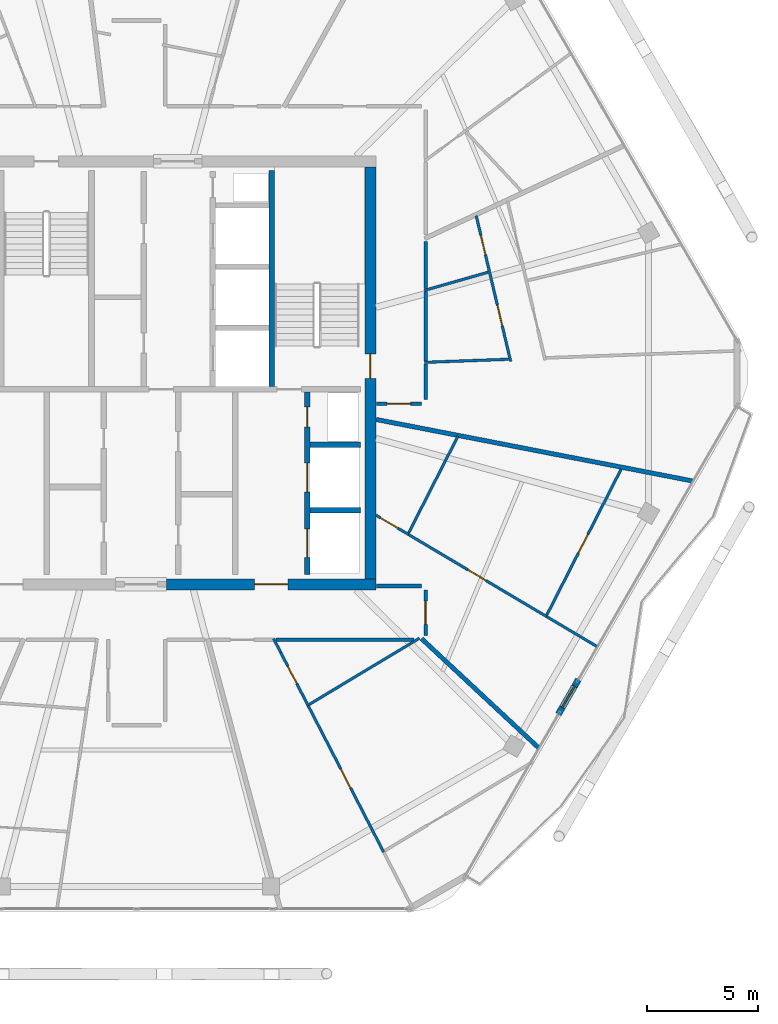
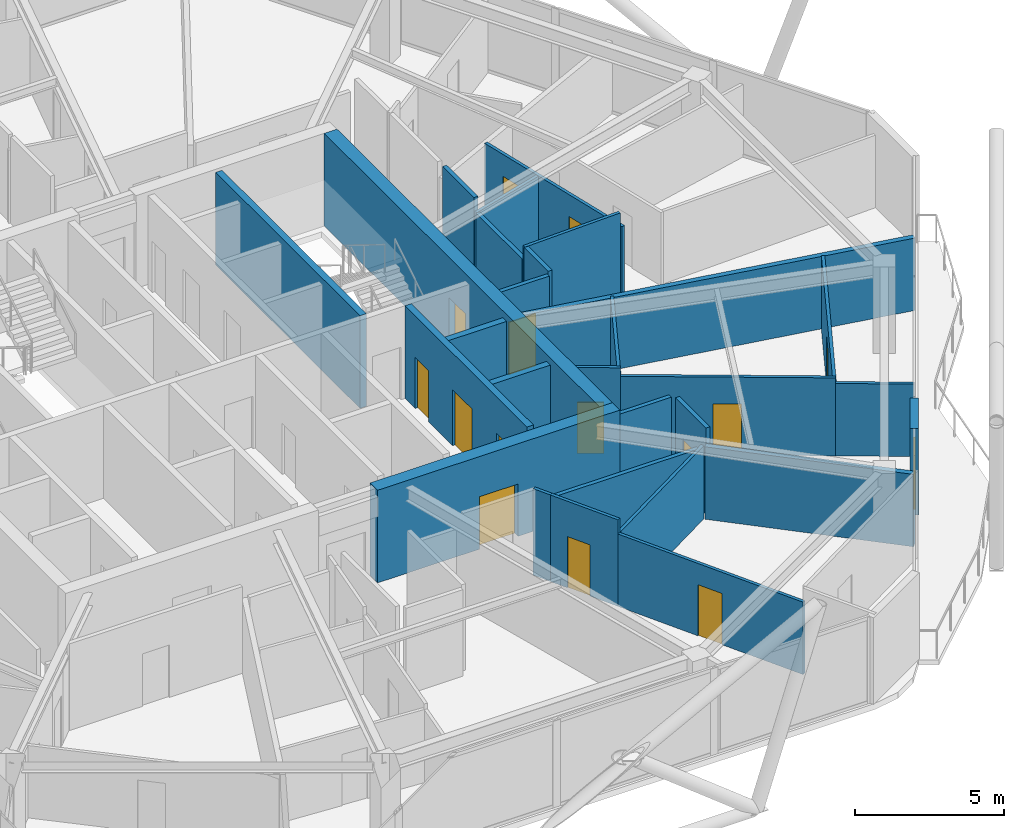
# One storey, part 19 of 24: 28 walls, 15 doors, 15 openings.
"""IFC4 building model written with IfcOpenShell, lengths in metres."""

import ifcopenshell
import ifcopenshell.guid

model = None  # the IFC model being written
_history = None  # IfcOwnerHistory: only IFC2X3 demands one
_inside = {}  # id of a spatial element -> (the spatial element, [elements in it])
_under = {}  # id of a project, library or spatial element -> (it, [spatial elements below it])
_declared = {}  # id of a project -> (the project, [libraries it declares])
_typed = {}  # id of a type object -> (the type object, [elements of that type])
_made_of = {}  # id of a material, layer set ... -> (it, [elements and type objects made of it])


def new_model(schema):
    """Start an empty IFC model of exactly this schema.

    Asked for "IFC4X3", IfcOpenShell would pick the latest addendum, in which some entities
    have other attributes; the version numbers below select the first issue.
    IFC2X3 requires an IfcOwnerHistory on every rooted entity: one is made here for all.
    """
    global model, _history
    if schema == "IFC4X3":
        model = ifcopenshell.file(schema_version=(4, 3, 0, 0))
    else:
        model = ifcopenshell.file(schema=schema)
    _inside.clear()
    _under.clear()
    _declared.clear()
    _typed.clear()
    _made_of.clear()
    _history = None
    if model.schema == "IFC2X3":
        org = make("IfcOrganization", Name="unknown")
        user = make(
            "IfcPersonAndOrganization",
            ThePerson=make("IfcPerson", FamilyName="unknown"),
            TheOrganization=org,
        )
        app = make(
            "IfcApplication",
            ApplicationDeveloper=org,
            Version="unknown",
            ApplicationFullName="unknown",
            ApplicationIdentifier="unknown",
        )
        _history = make(
            "IfcOwnerHistory",
            OwningUser=user,
            OwningApplication=app,
            ChangeAction="ADDED",
            CreationDate=0,
        )
    return model


def make(cls, **values):
    """One entity of the class cls with the attributes given. An attribute that is None is left unset."""
    return model.create_entity(
        cls, **{name: value for name, value in values.items() if value is not None}
    )


def rooted(cls, **values):
    """An entity with a GlobalId (a new one), such as an element, a storey or a relation."""
    return make(cls, GlobalId=ifcopenshell.guid.new(), OwnerHistory=_history, **values)


def si_unit(unit_type, name, prefix=None):
    """IfcSIUnit, for example si_unit("LENGTHUNIT", "METRE", prefix="MILLI")."""
    return make("IfcSIUnit", UnitType=unit_type, Prefix=prefix, Name=name)


def assignment(units):
    """IfcUnitAssignment: the units of a project."""
    return None if units is None else make("IfcUnitAssignment", Units=units)


def point(xyz):
    """IfcCartesianPoint."""
    return None if xyz is None else make("IfcCartesianPoint", Coordinates=xyz)


def direction(xyz):
    """IfcDirection."""
    return None if xyz is None else make("IfcDirection", DirectionRatios=xyz)


def frame(location, z_axis=None, x_axis=None):
    """IfcAxis2Placement3D, a coordinate frame: its origin and axes. An axis left out is left unset."""
    return make(
        "IfcAxis2Placement3D",
        Location=point(location),
        Axis=direction(z_axis),
        RefDirection=direction(x_axis),
    )


def frame_2d(location, x_axis=None):
    """IfcAxis2Placement2D, a coordinate frame in the plane: its origin and x axis."""
    return make(
        "IfcAxis2Placement2D", Location=point(location), RefDirection=direction(x_axis)
    )


def origin():
    """The frame at (0, 0, 0) with its axes left unset."""
    return frame((0.0, 0.0, 0.0))


def place(relative_to, where):
    """IfcLocalPlacement: puts the frame where relative to a parent placement (None: the world)."""
    return make(
        "IfcLocalPlacement", PlacementRelTo=relative_to, RelativePlacement=where
    )


def context(
    kind, dimensions, precision=None, world=None, true_north=None, identifier=None
):
    """IfcGeometricRepresentationContext, for example the 3D "Model" context."""
    return make(
        "IfcGeometricRepresentationContext",
        ContextIdentifier=identifier,
        ContextType=kind,
        CoordinateSpaceDimension=dimensions,
        Precision=precision,
        WorldCoordinateSystem=world,
        TrueNorth=true_north,
    )


def subcontext(parent, identifier, kind, view, scale=None):
    """IfcGeometricRepresentationSubContext, for example "Body" below "Model"."""
    return make(
        "IfcGeometricRepresentationSubContext",
        ContextIdentifier=identifier,
        ContextType=kind,
        ParentContext=parent,
        TargetScale=scale,
        TargetView=view,
    )


def project(units=None, contexts=None):
    """IfcProject with its units and contexts."""
    return rooted(
        "IfcProject",
        Name="project",
        RepresentationContexts=contexts,
        UnitsInContext=assignment(units),
    )


def spatial(cls, under=None, at=None, **own):
    """A site, building, storey or space (cls), placed at a placement, below another one or the project."""
    s = rooted(cls, ObjectPlacement=at, **own)
    if under is not None:
        _under.setdefault(under.id(), (under, []))[1].append(s)
    return s


def profile(cls, at=None, kind="AREA", **sizes):
    """A parametric profile (cls). Its sizes go by their IFC names, for example OverallWidth=200.0."""
    return make(cls, ProfileType=kind, Position=at, **sizes)


def rectangle(**sizes):
    """IfcRectangleProfileDef."""
    return profile("IfcRectangleProfileDef", **sizes)


def extrude(swept, where, along, depth):
    """IfcExtrudedAreaSolid: the profile swept, set in the frame where, extruded along a direction by depth."""
    return make(
        "IfcExtrudedAreaSolid",
        SweptArea=swept,
        Position=where,
        ExtrudedDirection=direction(along),
        Depth=depth,
    )


def shape(context_of_items, identifier, shape_type, items):
    """IfcShapeRepresentation: the items that make up one representation, for example the "Body"."""
    return make(
        "IfcShapeRepresentation",
        ContextOfItems=context_of_items,
        RepresentationIdentifier=identifier,
        RepresentationType=shape_type,
        Items=items,
    )


def material(Name=None, Category=None):
    """IfcMaterial."""
    return make("IfcMaterial", Name=Name, Category=Category)


def layer(
    of_material, thickness, ventilated=None, Name=None, Category=None, Priority=None
):
    """IfcMaterialLayer: one layer of a wall or slab, of a material (None: an air gap)."""
    return make(
        "IfcMaterialLayer",
        Material=of_material,
        LayerThickness=thickness,
        IsVentilated=ventilated,
        Name=Name,
        Category=Category,
        Priority=Priority,
    )


def layer_set(layers, Name=None):
    """IfcMaterialLayerSet."""
    return make("IfcMaterialLayerSet", MaterialLayers=layers, LayerSetName=Name)


def made_of(thing, what):
    """Note that an element or type object is made of a material, layer set ...; save() writes the relation."""
    if what is not None:
        _made_of.setdefault(what.id(), (what, []))[1].append(thing)
    return thing


def type_object(cls, material=None, **own):
    """A type object (cls), such as IfcWallType, which elements share."""
    return made_of(rooted(cls, **own), material)


def element(
    cls,
    number,
    at=None,
    inside=None,
    cuts=None,
    type_object=None,
    material=None,
    context=None,
    identifier="Body",
    shape_type=None,
    held_by="IfcProductDefinitionShape",
    body=None,
    shapes=None,
    **own,
):
    """One element of the class cls, such as IfcWall. Its Tag is "e" and its number.

    at: its placement. inside: the storey or other place that contains it. cuts: it is an
    opening in that element (IfcRelVoidsElement). A single representation is given by context,
    identifier, shape_type and body (its items); several are given by shapes. held_by: the class
    of the entity that holds the representations. save() writes the other relations.
    """
    e = rooted(cls, Tag="e%d" % number, ObjectPlacement=at, **own)
    if body is not None:
        shapes = [shape(context, identifier, shape_type, body)]
    if shapes is not None:
        e.Representation = make(held_by, Representations=shapes)
    if inside is not None:
        _inside.setdefault(inside.id(), (inside, []))[1].append(e)
    if cuts is not None:
        rooted(
            "IfcRelVoidsElement", RelatingBuildingElement=cuts, RelatedOpeningElement=e
        )
    if type_object is not None:
        _typed.setdefault(type_object.id(), (type_object, []))[1].append(e)
    return made_of(e, material)


def fill(opening, filler):
    """IfcRelFillsElement: the door or window that sits in an opening."""
    return rooted(
        "IfcRelFillsElement",
        RelatingOpeningElement=opening,
        RelatedBuildingElement=filler,
    )


def aggregate(whole, parts):
    """IfcRelAggregates: a whole, such as a stair, and the parts it consists of."""
    return rooted("IfcRelAggregates", RelatingObject=whole, RelatedObjects=parts)


def save(model, path):
    """Write the relations noted so far, then the file.

    IfcRelAggregates (storeys below a building ...), IfcRelContainedInSpatialStructure (elements
    in a storey), IfcRelDefinesByType, IfcRelAssociatesMaterial and IfcRelDeclares: one each for
    every whole, place, type object, material and project.
    """
    for whole, parts in _under.values():
        aggregate(whole, parts)
    for where, things in _inside.values():
        rooted(
            "IfcRelContainedInSpatialStructure",
            RelatedElements=things,
            RelatingStructure=where,
        )
    for kind, things in _typed.values():
        rooted("IfcRelDefinesByType", RelatedObjects=things, RelatingType=kind)
    for what, things in _made_of.values():
        rooted("IfcRelAssociatesMaterial", RelatedObjects=things, RelatingMaterial=what)
    for by, libraries in _declared.values():
        rooted("IfcRelDeclares", RelatingContext=by, RelatedDefinitions=libraries)
    model.write(path)


model = new_model("IFC4")

# Units and contexts
model_context = context("Model", 3, precision=1e-05, world=origin(), true_north=direction((0.0, 1.0)))
body_context = subcontext(model_context, "Body", "Model", "MODEL_VIEW")
ifc_project = project(units=[si_unit("LENGTHUNIT", "METRE"), si_unit("AREAUNIT", "SQUARE_METRE"), si_unit("VOLUMEUNIT", "CUBIC_METRE"), si_unit("PLANEANGLEUNIT", "RADIAN"), si_unit("MASSUNIT", "GRAM", prefix="KILO")], contexts=[model_context])

# Site, building, storey
site_placement = place(None, origin())
site = spatial("IfcSite", under=ifc_project, at=site_placement, CompositionType="ELEMENT")
building_placement = place(site_placement, origin())
building = spatial("IfcBuilding", under=site, at=building_placement, Name="Zuhravey Tower", CompositionType="ELEMENT")
storey_placement = place(building_placement, frame((0.0, 0.0, 338.60009765625)))
storey = spatial("IfcBuildingStorey", under=building, at=storey_placement, Name="L86", CompositionType="ELEMENT", Elevation=338.60009765625)

# Wall, opening, door
ifc_material_1 = material(Name="Concrete C50/60", Category="concrete")
ifc_layer_1 = layer(ifc_material_1, 0.5)
ifc_layer_set_1 = layer_set([ifc_layer_1], Name="Concrete C50/60")
wall_type_1 = type_object("IfcWallType", Name="Core Shear Wall 500", PredefinedType="SHEAR", material=ifc_layer_set_1)
wall_1_placement = place(storey_placement, frame((37.35009765625, 22.5, 0.0), z_axis=(0.0, 0.0, 1.0), x_axis=(1.0, 0.0, 0.0)))
wall_1 = element("IfcWall", 1, at=wall_1_placement, inside=storey, type_object=wall_type_1, Name="L86 South-East Core Shear Wall CW50", PredefinedType="SHEAR", context=body_context, shape_type="SweptSolid", body=[
    extrude(rectangle(XDim=9.39990234375, YDim=0.5, at=frame_2d((4.699951171875, 0.0))), origin(), (0.0, 0.0, 1.0), 3.7998046875),
])
opening_1_placement = place(wall_1_placement, frame((3.949951171875, 0.0, 0.0)))
opening_1 = element("IfcOpeningElement", 2, at=opening_1_placement, cuts=wall_1, Name="Opening FFD1", PredefinedType="OPENING", context=body_context, shape_type="SweptSolid", body=[
    extrude(rectangle(XDim=1.5, YDim=2.14990234375, at=frame_2d((0.75, 1.074951171875))), frame((0.0, 0.261962890625, 0.0), z_axis=(0.0, -1.0, 0.0), x_axis=(1.0, 0.0, 0.0)), (0.0, 0.0, 1.0), 0.52392578125),
])
ifc_material_2 = material(Name="Galvanised fire-rated steel leaf", Category="steel")
door_type_1 = type_object("IfcDoorType", Name="Firefighting Lobby Double Door 1500x2150", OperationType="DOUBLE_DOOR_SINGLE_SWING", PredefinedType="DOOR", material=ifc_material_2)
door_1_placement = place(opening_1_placement, origin())
door_1 = element("IfcDoor", 3, at=door_1_placement, inside=storey, type_object=door_type_1, Name="L86 Firefighting Lobby East Door", OperationType="DOUBLE_DOOR_SINGLE_SWING", OverallHeight=2.14990234375, OverallWidth=1.5, PredefinedType="DOOR", context=body_context, shape_type="SweptSolid", body=[
    extrude(rectangle(XDim=1.5, YDim=2.14990234375, at=frame_2d((0.75, 1.074951171875))), frame((0.0, 0.02490234375, 0.0), z_axis=(0.0, -1.0, 0.0), x_axis=(1.0, 0.0, 0.0)), (0.0, 0.0, 1.0), 0.050048828125),
])
fill(opening_1, door_1)

wall_2_placement = place(storey_placement, frame((46.5, 22.75, 0.0), z_axis=(0.0, 0.0, 1.0), x_axis=(0.0, 1.0, 0.0)))
wall_2 = element("IfcWall", 4, at=wall_2_placement, inside=storey, type_object=wall_type_1, Name="L86 East Core Shear Wall CW50", PredefinedType="SHEAR", context=body_context, shape_type="SweptSolid", body=[
    extrude(rectangle(XDim=18.5, YDim=0.5, at=frame_2d((9.25, 0.0))), origin(), (0.0, 0.0, 1.0), 3.7998046875),
])
opening_2_placement = place(wall_2_placement, frame((9.0, 0.0, 0.0)))
opening_2 = element("IfcOpeningElement", 5, at=opening_2_placement, cuts=wall_2, Name="Opening STD1", PredefinedType="OPENING", context=body_context, shape_type="SweptSolid", body=[
    extrude(rectangle(XDim=1.10009765625, YDim=2.14990234375, at=frame_2d((0.550048828125, 1.074951171875))), frame((0.0, 0.261962890625, 0.0), z_axis=(0.0, -1.0, 0.0), x_axis=(1.0, 0.0, 0.0)), (0.0, 0.0, 1.0), 0.52392578125),
])
door_type_2 = type_object("IfcDoorType", Name="Protected Stair Fire Door 1100x2150", OperationType="NOTDEFINED", PredefinedType="USERDEFINED", material=ifc_material_2)
door_2_placement = place(opening_2_placement, origin())
door_2 = element("IfcDoor", 6, at=door_2_placement, inside=storey, type_object=door_type_2, Name="L86 Stair ST2 Door", ObjectType="EXITDOOR", OperationType="SINGLE_SWING_RIGHT", OverallHeight=2.14990234375, OverallWidth=1.10009765625, PredefinedType="USERDEFINED", context=body_context, shape_type="SweptSolid", body=[
    extrude(rectangle(XDim=1.10009765625, YDim=2.14990234375, at=frame_2d((0.550048828125, 1.074951171875))), frame((0.0, 0.02490234375, 0.0), z_axis=(0.0, -1.0, 0.0), x_axis=(1.0, 0.0, 0.0)), (0.0, 0.0, 1.0), 0.050048828125),
])
fill(opening_2, door_2)

ifc_material_3 = material(Name="Gypsum fire-rated stud partition")
ifc_layer_2 = layer(ifc_material_3, 0.159912109375)
ifc_layer_set_2 = layer_set([ifc_layer_2], Name="Gypsum fire-rated stud partition")
wall_type_2 = type_object("IfcWallType", Name="Corridor Fire Partition 160", PredefinedType="PARTITIONING", material=ifc_layer_set_2)
wall_3_placement = place(storey_placement, frame((48.97998046875, 20.199951171875, 0.0), z_axis=(0.0, 0.0, 1.0), x_axis=(0.0, 1.0, 0.0)))
wall_3 = element("IfcWall", 7, at=wall_3_placement, inside=storey, type_object=wall_type_2, Name="L86 IW16 Partition 044", PredefinedType="PARTITIONING", context=body_context, shape_type="SweptSolid", body=[
    extrude(rectangle(XDim=2.050048828125, YDim=0.159912109375, at=frame_2d((1.02490234375, 0.0))), origin(), (0.0, 0.0, 1.0), 3.5498046875),
])
opening_3_placement = place(wall_3_placement, frame((0.5, 0.0, 0.0)))
opening_3 = element("IfcOpeningElement", 8, at=opening_3_placement, cuts=wall_3, Name="Opening APD1", PredefinedType="OPENING", context=body_context, shape_type="SweptSolid", body=[
    extrude(rectangle(XDim=1.050048828125, YDim=2.14990234375, at=frame_2d((0.52490234375, 1.074951171875))), frame((0.0, 0.092041015625, 0.0), z_axis=(0.0, -1.0, 0.0), x_axis=(1.0, 0.0, 0.0)), (0.0, 0.0, 1.0), 0.183837890625),
])
ifc_material_4 = material(Name="Solid-core oak fire-rated leaf")
door_type_3 = type_object("IfcDoorType", Name="Apartment Entrance Fire Door 1050x2150", OperationType="NOTDEFINED", PredefinedType="DOOR", material=ifc_material_4)
door_3_placement = place(opening_3_placement, frame((1.050048828125, 0.0, 0.0), z_axis=(0.0, 0.0, 1.0), x_axis=(-1.0, 0.0, 0.0)))
door_3 = element("IfcDoor", 9, at=door_3_placement, inside=storey, type_object=door_type_3, Name="L86 Door 044.1", OperationType="SINGLE_SWING_LEFT", OverallHeight=2.14990234375, OverallWidth=1.050048828125, PredefinedType="DOOR", context=body_context, shape_type="SweptSolid", body=[
    extrude(rectangle(XDim=1.050048828125, YDim=2.14990234375, at=frame_2d((0.52490234375, 1.074951171875))), frame((0.0, 0.02490234375, 0.0), z_axis=(0.0, -1.0, 0.0), x_axis=(1.0, 0.0, 0.0)), (0.0, 0.0, 1.0), 0.050048828125),
])
fill(opening_3, door_3)

wall_4_placement = place(storey_placement, frame((46.77001953125, 30.6201171875, 0.0), z_axis=(0.0, 0.0, 1.0), x_axis=(1.0, 0.0, 0.0)))
wall_4 = element("IfcWall", 10, at=wall_4_placement, inside=storey, type_object=wall_type_2, Name="L86 IW16 Partition 047", PredefinedType="PARTITIONING", context=body_context, shape_type="SweptSolid", body=[
    extrude(rectangle(XDim=2.029296875, YDim=0.159912109375, at=frame_2d((1.0146484375, 0.0))), origin(), (0.0, 0.0, 1.0), 3.5498046875),
])
opening_4_placement = place(wall_4_placement, frame((0.489501953125, 0.0, 0.0)))
opening_4 = element("IfcOpeningElement", 11, at=opening_4_placement, cuts=wall_4, Name="Opening APD1", PredefinedType="OPENING", context=body_context, shape_type="SweptSolid", body=[
    extrude(rectangle(XDim=1.050048828125, YDim=2.14990234375, at=frame_2d((0.52490234375, 1.074951171875))), frame((0.0, 0.092041015625, 0.0), z_axis=(0.0, -1.0, 0.0), x_axis=(1.0, 0.0, 0.0)), (0.0, 0.0, 1.0), 0.183837890625),
])
door_4_placement = place(opening_4_placement, origin())
door_4 = element("IfcDoor", 12, at=door_4_placement, inside=storey, type_object=door_type_3, Name="L86 Door 047.1", OperationType="SINGLE_SWING_RIGHT", OverallHeight=2.14990234375, OverallWidth=1.050048828125, PredefinedType="DOOR", context=body_context, shape_type="SweptSolid", body=[
    extrude(rectangle(XDim=1.050048828125, YDim=2.14990234375, at=frame_2d((0.52490234375, 1.074951171875))), frame((0.0, 0.02490234375, 0.0), z_axis=(0.0, -1.0, 0.0), x_axis=(1.0, 0.0, 0.0)), (0.0, 0.0, 1.0), 0.050048828125),
])
fill(opening_4, door_4)

# Walls
wall_5_placement = place(storey_placement, frame((42.254638671875, 20.02001953125, 0.0), z_axis=(0.0, 0.0, 1.0), x_axis=(1.0, 0.0, 0.0)))
element("IfcWall", 13, at=wall_5_placement, inside=storey, type_object=wall_type_2, Name="L86 IW16 Partition 116", PredefinedType="PARTITIONING", context=body_context, shape_type="SweptSolid", body=[
    extrude(rectangle(XDim=6.21337890625, YDim=0.159912109375, at=frame_2d((3.106689453125, 0.0))), origin(), (0.0, 0.0, 1.0), 3.0),
])
wall_6_placement = place(storey_placement, frame((48.800048828125, 22.429931640625, 0.0), z_axis=(0.0, 0.0, 1.0), x_axis=(-1.0, 0.0, 0.0)))
element("IfcWall", 14, at=wall_6_placement, inside=storey, type_object=wall_type_2, Name="L86 IW16 Partition 117", PredefinedType="PARTITIONING", context=body_context, shape_type="SweptSolid", body=[
    extrude(rectangle(XDim=2.030029296875, YDim=0.159912109375, at=frame_2d((1.01513671875, 0.0))), origin(), (0.0, 0.0, 1.0), 3.5498046875),
])
wall_7_placement = place(storey_placement, frame((48.97998046875, 30.80078125, 0.0), z_axis=(0.0, 0.0, 1.0), x_axis=(0.0, 1.0, 0.0)))
element("IfcWall", 15, at=wall_7_placement, inside=storey, type_object=wall_type_2, Name="L86 IW16 Partition 118", PredefinedType="PARTITIONING", context=body_context, shape_type="SweptSolid", body=[
    extrude(rectangle(XDim=1.607177734375, YDim=0.159912109375, at=frame_2d((0.8037109375, 0.0))), origin(), (0.0, 0.0, 1.0), 3.5498046875),
])
wall_8_placement = place(storey_placement, frame((48.97998046875, 32.5439453125, 0.0), z_axis=(0.0, 0.0, 1.0), x_axis=(0.0, 1.0, 0.0)))
element("IfcWall", 16, at=wall_8_placement, inside=storey, type_object=wall_type_2, Name="L86 IW16 Partition 119", PredefinedType="PARTITIONING", context=body_context, shape_type="SweptSolid", body=[
    extrude(rectangle(XDim=3.104248046875, YDim=0.159912109375, at=frame_2d((1.55224609375, 0.0))), origin(), (0.0, 0.0, 1.0), 3.0),
])
wall_9_placement = place(storey_placement, frame((48.97998046875, 35.789794921875, 0.0), z_axis=(0.0, 0.0, 1.0), x_axis=(0.0, 1.0, 0.0)))
element("IfcWall", 17, at=wall_9_placement, inside=storey, type_object=wall_type_2, Name="L86 IW16 Partition 120", PredefinedType="PARTITIONING", context=body_context, shape_type="SweptSolid", body=[
    extrude(rectangle(XDim=2.103515625, YDim=0.159912109375, at=frame_2d((1.0517578125, 0.0))), origin(), (0.0, 0.0, 1.0), 3.5498046875),
])

# Wall, opening, door
ifc_material_5 = material(Name="Precast concrete C40/50", Category="concrete")
ifc_layer_3 = layer(ifc_material_5, 0.280029296875)
ifc_layer_set_3 = layer_set([ifc_layer_3], Name="Precast concrete C40/50")
wall_type_3 = type_object("IfcWallType", Name="Crown Architectural Wall 280", PredefinedType="SOLIDWALL", material=ifc_layer_set_3)
wall_10_placement = place(storey_placement, frame((55.843505859375, 18.2216796875, 0.0), z_axis=(0.0, 0.0, 1.0), x_axis=(-0.500041240653, -0.866001592173, 0.0)))
wall_10 = element("IfcWall", 18, at=wall_10_placement, inside=storey, type_object=wall_type_3, Name="L86 Face 6 Facade Pier EW28-1", PredefinedType="SOLIDWALL", context=body_context, shape_type="SweptSolid", body=[
    extrude(rectangle(XDim=1.789794921875, YDim=0.280029296875, at=frame_2d((0.89501953125, 0.0))), origin(), (0.0, 0.0, 1.0), 3.5498046875),
])
opening_5_placement = place(wall_10_placement, frame((0.344970703125, 0.0, 0.0)))
opening_5 = element("IfcOpeningElement", 19, at=opening_5_placement, cuts=wall_10, Name="Opening BLD1", PredefinedType="OPENING", context=body_context, shape_type="SweptSolid", body=[
    extrude(rectangle(XDim=1.10009765625, YDim=2.199951171875, at=frame_2d((0.550048828125, 1.10009765625))), frame((0.0, 0.152099609375, 0.0), z_axis=(0.0, -1.0, 0.0), x_axis=(1.0, 0.0, 0.0)), (0.0, 0.0, 1.0), 0.303955078125),
])
ifc_material_6 = material(Name="Thermally broken aluminium and low-E glass", Category="aluminium")
door_type_4 = type_object("IfcDoorType", Name="Balcony & Sky-Tray Glazed Door 1100x2200", OperationType="NOTDEFINED", PredefinedType="DOOR", material=ifc_material_6)
door_5_placement = place(opening_5_placement, frame((1.10009765625, 0.0, 0.0), z_axis=(0.0, 0.0, 1.0), x_axis=(-1.0, 0.0, 0.0)))
door_5 = element("IfcDoor", 20, at=door_5_placement, inside=storey, type_object=door_type_4, Name="L86 Face 6 Wave Balcony Door", OperationType="SINGLE_SWING_LEFT", OverallHeight=2.199951171875, OverallWidth=1.10009765625, PredefinedType="DOOR", context=body_context, shape_type="SweptSolid", body=[
    extrude(rectangle(XDim=1.10009765625, YDim=2.199951171875, at=frame_2d((0.550048828125, 1.10009765625))), frame((0.0, 0.02490234375, 0.0), z_axis=(0.0, -1.0, 0.0), x_axis=(1.0, 0.0, 0.0)), (0.0, 0.0, 1.0), 0.050048828125),
])
fill(opening_5, door_5)

# Walls
ifc_layer_4 = layer(ifc_material_1, 0.25)
ifc_layer_set_4 = layer_set([ifc_layer_4], Name="Concrete C50/60")
wall_type_4 = type_object("IfcWallType", Name="Firefighting Shaft & Stair Wall 250", PredefinedType="SOLIDWALL", material=ifc_layer_set_4)
wall_11_placement = place(storey_placement, frame((42.074951171875, 31.39990234375, 0.0), z_axis=(0.0, 0.0, 1.0), x_axis=(0.0, 1.0, 0.0)))
element("IfcWall", 21, at=wall_11_placement, inside=storey, type_object=wall_type_4, Name="L86 FW25 Shaft Wall 006", PredefinedType="SOLIDWALL", context=body_context, shape_type="SweptSolid", body=[
    extrude(rectangle(XDim=9.7001953125, YDim=0.25, at=frame_2d((4.85009765625, 0.0))), origin(), (0.0, 0.0, 1.0), 3.7998046875),
])
for number, where, z_axis, x_axis, name in (
    (22, (43.800048828125, 25.824951171875, 0.0), (0.0, 0.0, 1.0), (1.0, 0.0, 0.0), "L86 FW25 Shaft Wall 018"),
    (23, (43.800048828125, 28.77490234375, 0.0), (0.0, 0.0, 1.0), (1.0, 0.0, 0.0), "L86 FW25 Shaft Wall 019"),
):
    element("IfcWall", number, at=place(storey_placement, frame(where, z_axis=z_axis, x_axis=x_axis)), inside=storey, type_object=wall_type_4, Name=name, PredefinedType="SOLIDWALL", context=body_context, shape_type="SweptSolid", body=[
        extrude(rectangle(XDim=2.25, YDim=0.25, at=frame_2d((1.125, 0.0))), origin(), (0.0, 0.0, 1.0), 3.7998046875),
    ])

# Wall, openings, doors
wall_12_placement = place(storey_placement, frame((43.675048828125, 22.949951171875, 0.0), z_axis=(0.0, 0.0, 1.0), x_axis=(0.0, 1.0, 0.0)))
wall_12 = element("IfcWall", 24, at=wall_12_placement, inside=storey, type_object=wall_type_4, Name="L86 FW25 Shaft Wall 020", PredefinedType="SOLIDWALL", context=body_context, shape_type="SweptSolid", body=[
    extrude(rectangle(XDim=8.199951171875, YDim=0.25, at=frame_2d((4.10009765625, 0.0))), origin(), (0.0, 0.0, 1.0), 3.7998046875),
])
opening_6_placement = place(wall_12_placement, frame((0.75, 0.0, 0.0)))
opening_6 = element("IfcOpeningElement", 25, at=opening_6_placement, cuts=wall_12, Name="Opening LD2", PredefinedType="OPENING", context=body_context, shape_type="SweptSolid", body=[
    extrude(rectangle(XDim=1.300048828125, YDim=2.300048828125, at=frame_2d((0.64990234375, 1.14990234375))), frame((0.0, 0.136962890625, 0.0), z_axis=(0.0, -1.0, 0.0), x_axis=(1.0, 0.0, 0.0)), (0.0, 0.0, 1.0), 0.27392578125),
])
opening_7_placement = place(wall_12_placement, frame((3.699951171875, 0.0, 0.0)))
opening_7 = element("IfcOpeningElement", 26, at=opening_7_placement, cuts=wall_12, Name="Opening LD2", PredefinedType="OPENING", context=body_context, shape_type="SweptSolid", body=[
    extrude(rectangle(XDim=1.300048828125, YDim=2.300048828125, at=frame_2d((0.64990234375, 1.14990234375))), frame((0.0, 0.136962890625, 0.0), z_axis=(0.0, -1.0, 0.0), x_axis=(1.0, 0.0, 0.0)), (0.0, 0.0, 1.0), 0.27392578125),
])
opening_8_placement = place(wall_12_placement, frame((6.6201171875, 0.0, 0.0)))
opening_8 = element("IfcOpeningElement", 27, at=opening_8_placement, cuts=wall_12, Name="Opening RSD1", PredefinedType="OPENING", context=body_context, shape_type="SweptSolid", body=[
    extrude(rectangle(XDim=0.89990234375, YDim=2.10009765625, at=frame_2d((0.449951171875, 1.050048828125))), frame((0.0, 0.136962890625, 0.0), z_axis=(0.0, -1.0, 0.0), x_axis=(1.0, 0.0, 0.0)), (0.0, 0.0, 1.0), 0.27392578125),
])
ifc_material_7 = material(Name="Brushed stainless steel", Category="steel")
door_type_5 = type_object("IfcDoorType", Name="Freight & Stretcher Lift Sliding Door 1300x2300", OperationType="DOUBLE_DOOR_SLIDING", PredefinedType="DOOR", material=ifc_material_7)
door_6_placement = place(opening_6_placement, origin())
door_6 = element("IfcDoor", 28, at=door_6_placement, inside=storey, type_object=door_type_5, Name="L86 Lift FF2 Landing Door", OperationType="DOUBLE_DOOR_SLIDING", OverallHeight=2.300048828125, OverallWidth=1.300048828125, PredefinedType="DOOR", context=body_context, shape_type="SweptSolid", body=[
    extrude(rectangle(XDim=1.300048828125, YDim=2.300048828125, at=frame_2d((0.64990234375, 1.14990234375))), frame((0.0, 0.02490234375, 0.0), z_axis=(0.0, -1.0, 0.0), x_axis=(1.0, 0.0, 0.0)), (0.0, 0.0, 1.0), 0.050048828125),
])
fill(opening_6, door_6)
door_7_placement = place(opening_7_placement, origin())
door_7 = element("IfcDoor", 29, at=door_7_placement, inside=storey, type_object=door_type_5, Name="L86 Lift SV1 Landing Door", OperationType="DOUBLE_DOOR_SLIDING", OverallHeight=2.300048828125, OverallWidth=1.300048828125, PredefinedType="DOOR", context=body_context, shape_type="SweptSolid", body=[
    extrude(rectangle(XDim=1.300048828125, YDim=2.300048828125, at=frame_2d((0.64990234375, 1.14990234375))), frame((0.0, 0.02490234375, 0.0), z_axis=(0.0, -1.0, 0.0), x_axis=(1.0, 0.0, 0.0)), (0.0, 0.0, 1.0), 0.050048828125),
])
fill(opening_7, door_7)
ifc_material_8 = material(Name="Galvanised fire-rated steel access leaf", Category="steel")
door_type_6 = type_object("IfcDoorType", Name="Riser & Shaft Access Fire Door 900x2100", OperationType="NOTDEFINED", PredefinedType="DOOR", material=ifc_material_8)
door_8_placement = place(opening_8_placement, origin())
door_8 = element("IfcDoor", 30, at=door_8_placement, inside=storey, type_object=door_type_6, Name="L86 Plumbing Riser Door", OperationType="SINGLE_SWING_RIGHT", OverallHeight=2.10009765625, OverallWidth=0.89990234375, PredefinedType="DOOR", context=body_context, shape_type="SweptSolid", body=[
    extrude(rectangle(XDim=0.89990234375, YDim=2.10009765625, at=frame_2d((0.449951171875, 1.050048828125))), frame((0.0, 0.02490234375, 0.0), z_axis=(0.0, -1.0, 0.0), x_axis=(1.0, 0.0, 0.0)), (0.0, 0.0, 1.0), 0.050048828125),
])
fill(opening_8, door_8)

# Walls
ifc_material_9 = material(Name="Gypsum double-stud party assembly")
ifc_layer_5 = layer(ifc_material_9, 0.199951171875)
ifc_layer_set_5 = layer_set([ifc_layer_5], Name="Gypsum double-stud party assembly")
wall_type_5 = type_object("IfcWallType", Name="Inter-Tenancy Party Wall 200", PredefinedType="PARTITIONING", material=ifc_layer_set_5)
wall_13_placement = place(storey_placement, frame((48.803955078125, 20.060302734375, 0.0), z_axis=(0.0, 0.0, 1.0), x_axis=(0.731343856779, -0.682008917208, 0.0)))
element("IfcWall", 31, at=wall_13_placement, inside=storey, type_object=wall_type_5, Name="L86 IW20 Partition 083", PredefinedType="PARTITIONING", context=body_context, shape_type="SweptSolid", body=[
    extrude(rectangle(XDim=7.2001953125, YDim=0.199951171875, at=frame_2d((3.60009765625, 0.0))), origin(), (0.0, 0.0, 1.0), 2.969970703125),
])
wall_14_placement = place(storey_placement, frame((46.758056640625, 29.908935546875, 0.0), z_axis=(0.0, 0.0, 1.0), x_axis=(0.981626953462, -0.190810178544, 0.0)))
element("IfcWall", 32, at=wall_14_placement, inside=storey, type_object=wall_type_5, Name="L86 IW20 Partition 086", PredefinedType="PARTITIONING", context=body_context, shape_type="SweptSolid", body=[
    extrude(rectangle(XDim=14.501708984375, YDim=0.199951171875, at=frame_2d((7.2509765625, 0.0))), origin(), (0.0, 0.0, 1.0), 2.969970703125),
])

# Wall, opening, door
ifc_material_10 = material(Name="Gypsum metal-stud partition")
ifc_layer_6 = layer(ifc_material_10, 0.1201171875)
ifc_layer_set_6 = layer_set([ifc_layer_6], Name="Gypsum metal-stud partition")
wall_type_6 = type_object("IfcWallType", Name="Unit Internal Partition 120", PredefinedType="PARTITIONING", material=ifc_layer_set_6)
wall_15_placement = place(storey_placement, frame((42.471923828125, 19.449951171875, 0.0), z_axis=(0.0, 0.0, 1.0), x_axis=(0.458327108515, -0.888783585357, 0.0)))
wall_15 = element("IfcWall", 33, at=wall_15_placement, inside=storey, type_object=wall_type_6, Name="L86 IW12 Partition 037", PredefinedType="PARTITIONING", context=body_context, shape_type="SweptSolid", body=[
    extrude(rectangle(XDim=2.697998046875, YDim=0.1201171875, at=frame_2d((1.34912109375, 0.0))), origin(), (0.0, 0.0, 1.0), 3.5498046875),
])
opening_9_placement = place(wall_15_placement, frame((0.68310546875, 0.0, 0.0)))
opening_9 = element("IfcOpeningElement", 34, at=opening_9_placement, cuts=wall_15, Name="Opening WCD1", PredefinedType="OPENING", context=body_context, shape_type="SweptSolid", body=[
    extrude(rectangle(XDim=0.89990234375, YDim=2.10009765625, at=frame_2d((0.449951171875, 1.050048828125))), frame((0.0, 0.072021484375, 0.0), z_axis=(0.0, -1.0, 0.0), x_axis=(1.0, 0.0, 0.0)), (0.0, 0.0, 1.0), 0.14404296875),
])
ifc_material_11 = material(Name="Moisture-resistant timber leaf", Category="wood")
door_type_7 = type_object("IfcDoorType", Name="Bathroom & WC Internal Door 900x2100", OperationType="NOTDEFINED", PredefinedType="DOOR", material=ifc_material_11)
door_9_placement = place(opening_9_placement, origin())
door_9 = element("IfcDoor", 35, at=door_9_placement, inside=storey, type_object=door_type_7, Name="Apartment L86-05 Bathroom Door", OperationType="SINGLE_SWING_RIGHT", OverallHeight=2.10009765625, OverallWidth=0.89990234375, PredefinedType="DOOR", context=body_context, shape_type="SweptSolid", body=[
    extrude(rectangle(XDim=0.89990234375, YDim=2.10009765625, at=frame_2d((0.449951171875, 1.050048828125))), frame((0.0, 0.02490234375, 0.0), z_axis=(0.0, -1.0, 0.0), x_axis=(1.0, 0.0, 0.0)), (0.0, 0.0, 1.0), 0.050048828125),
])
fill(opening_9, door_9)

wall_16_placement = place(storey_placement, frame((43.70849609375, 17.052001953125, 0.0), z_axis=(0.0, 0.0, 1.0), x_axis=(0.458373868426, -0.888759470692, 0.0)))
wall_16 = element("IfcWall", 36, at=wall_16_placement, inside=storey, type_object=wall_type_6, Name="L86 IW12 Partition 038", PredefinedType="PARTITIONING", context=body_context, shape_type="SweptSolid", body=[
    extrude(rectangle(XDim=7.39697265625, YDim=0.1201171875, at=frame_2d((3.698486328125, 0.0))), origin(), (0.0, 0.0, 1.0), 2.969970703125),
])
opening_10_placement = place(wall_16_placement, frame((3.198486328125, 0.0, 0.0)))
opening_10 = element("IfcOpeningElement", 37, at=opening_10_placement, cuts=wall_16, Name="Opening IND1", PredefinedType="OPENING", context=body_context, shape_type="SweptSolid", body=[
    extrude(rectangle(XDim=0.949951171875, YDim=2.10009765625, at=frame_2d((0.47509765625, 1.050048828125))), frame((0.0, 0.072021484375, 0.0), z_axis=(0.0, -1.0, 0.0), x_axis=(1.0, 0.0, 0.0)), (0.0, 0.0, 1.0), 0.14404296875),
])
ifc_material_12 = material(Name="Painted engineered timber leaf", Category="wood")
door_type_8 = type_object("IfcDoorType", Name="Internal Room & Bedroom Door 950x2100", OperationType="NOTDEFINED", PredefinedType="DOOR", material=ifc_material_12)
door_10_placement = place(opening_10_placement, origin())
door_10 = element("IfcDoor", 38, at=door_10_placement, inside=storey, type_object=door_type_8, Name="Apartment L86-05 Home Office Door", OperationType="SINGLE_SWING_LEFT", OverallHeight=2.10009765625, OverallWidth=0.949951171875, PredefinedType="DOOR", context=body_context, shape_type="SweptSolid", body=[
    extrude(rectangle(XDim=0.949951171875, YDim=2.10009765625, at=frame_2d((0.47509765625, 1.050048828125))), frame((0.0, 0.02490234375, 0.0), z_axis=(0.0, -1.0, 0.0), x_axis=(1.0, 0.0, 0.0)), (0.0, 0.0, 1.0), 0.050048828125),
])
fill(opening_10, door_10)

wall_17_placement = place(storey_placement, frame((46.758056640625, 25.607421875, 0.0), z_axis=(0.0, 0.0, 1.0), x_axis=(0.859597506205, -0.51097174807, 0.0)))
wall_17 = element("IfcWall", 39, at=wall_17_placement, inside=storey, type_object=wall_type_6, Name="L86 IW12 Partition 041", PredefinedType="PARTITIONING", context=body_context, shape_type="SweptSolid", body=[
    extrude(rectangle(XDim=1.693359375, YDim=0.1201171875, at=frame_2d((0.8466796875, 0.0))), origin(), (0.0, 0.0, 1.0), 3.5498046875),
])
opening_11_placement = place(wall_17_placement, frame((0.239013671875, 0.0, 0.0)))
opening_11 = element("IfcOpeningElement", 40, at=opening_11_placement, cuts=wall_17, Name="Opening WCD1", PredefinedType="OPENING", context=body_context, shape_type="SweptSolid", body=[
    extrude(rectangle(XDim=0.89990234375, YDim=2.10009765625, at=frame_2d((0.449951171875, 1.050048828125))), frame((0.0, 0.072021484375, 0.0), z_axis=(0.0, -1.0, 0.0), x_axis=(1.0, 0.0, 0.0)), (0.0, 0.0, 1.0), 0.14404296875),
])
door_11_placement = place(opening_11_placement, origin())
door_11 = element("IfcDoor", 41, at=door_11_placement, inside=storey, type_object=door_type_7, Name="Apartment L86-06 Bathroom Door", OperationType="SINGLE_SWING_RIGHT", OverallHeight=2.10009765625, OverallWidth=0.89990234375, PredefinedType="DOOR", context=body_context, shape_type="SweptSolid", body=[
    extrude(rectangle(XDim=0.89990234375, YDim=2.10009765625, at=frame_2d((0.449951171875, 1.050048828125))), frame((0.0, 0.02490234375, 0.0), z_axis=(0.0, -1.0, 0.0), x_axis=(1.0, 0.0, 0.0)), (0.0, 0.0, 1.0), 0.050048828125),
])
fill(opening_11, door_11)

wall_18_placement = place(storey_placement, frame((48.213623046875, 24.7421875, 0.0), z_axis=(0.0, 0.0, 1.0), x_axis=(0.859681622752, -0.510830213968, 0.0)))
wall_18 = element("IfcWall", 42, at=wall_18_placement, inside=storey, type_object=wall_type_6, Name="L86 IW12 Partition 042", PredefinedType="PARTITIONING", context=body_context, shape_type="SweptSolid", body=[
    extrude(rectangle(XDim=7.21826171875, YDim=0.1201171875, at=frame_2d((3.609130859375, 0.0))), origin(), (0.0, 0.0, 1.0), 3.199951171875),
])
opening_12_placement = place(wall_18_placement, frame((3.109130859375, 0.0, 0.0)))
opening_12 = element("IfcOpeningElement", 43, at=opening_12_placement, cuts=wall_18, Name="Opening IND1", PredefinedType="OPENING", context=body_context, shape_type="SweptSolid", body=[
    extrude(rectangle(XDim=0.949951171875, YDim=2.10009765625, at=frame_2d((0.47509765625, 1.050048828125))), frame((0.0, 0.072021484375, 0.0), z_axis=(0.0, -1.0, 0.0), x_axis=(1.0, 0.0, 0.0)), (0.0, 0.0, 1.0), 0.14404296875),
])
door_12_placement = place(opening_12_placement, origin())
door_12 = element("IfcDoor", 44, at=door_12_placement, inside=storey, type_object=door_type_8, Name="Apartment L86-06 Home Office Door", OperationType="SINGLE_SWING_LEFT", OverallHeight=2.10009765625, OverallWidth=0.949951171875, PredefinedType="DOOR", context=body_context, shape_type="SweptSolid", body=[
    extrude(rectangle(XDim=0.949951171875, YDim=2.10009765625, at=frame_2d((0.47509765625, 1.050048828125))), frame((0.0, 0.02490234375, 0.0), z_axis=(0.0, -1.0, 0.0), x_axis=(1.0, 0.0, 0.0)), (0.0, 0.0, 1.0), 0.050048828125),
])
fill(opening_12, door_12)

wall_19_placement = place(storey_placement, frame((54.428466796875, 21.12841796875, 0.0), z_axis=(0.0, 0.0, 1.0), x_axis=(0.453980042954, 0.89101185211, 0.0)))
wall_19 = element("IfcWall", 45, at=wall_19_placement, inside=storey, type_object=wall_type_6, Name="L86 IW12 Partition 043", PredefinedType="PARTITIONING", context=body_context, shape_type="SweptSolid", body=[
    extrude(rectangle(XDim=7.3466796875, YDim=0.1201171875, at=frame_2d((3.67333984375, 0.0))), origin(), (0.0, 0.0, 1.0), 3.0),
])
opening_13_placement = place(wall_19_placement, frame((3.114013671875, 0.0, 0.0)))
opening_13 = element("IfcOpeningElement", 46, at=opening_13_placement, cuts=wall_19, Name="Opening IND1", PredefinedType="OPENING", context=body_context, shape_type="SweptSolid", body=[
    extrude(rectangle(XDim=0.949951171875, YDim=2.10009765625, at=frame_2d((0.47509765625, 1.050048828125))), frame((0.0, 0.072021484375, 0.0), z_axis=(0.0, -1.0, 0.0), x_axis=(1.0, 0.0, 0.0)), (0.0, 0.0, 1.0), 0.14404296875),
])
door_13_placement = place(opening_13_placement, frame((0.949951171875, 0.0, 0.0), z_axis=(0.0, 0.0, 1.0), x_axis=(-1.0, 0.0, 0.0)))
door_13 = element("IfcDoor", 47, at=door_13_placement, inside=storey, type_object=door_type_8, Name="Apartment L86-06 Kitchen Door", OperationType="SINGLE_SWING_RIGHT", OverallHeight=2.10009765625, OverallWidth=0.949951171875, PredefinedType="DOOR", context=body_context, shape_type="SweptSolid", body=[
    extrude(rectangle(XDim=0.949951171875, YDim=2.10009765625, at=frame_2d((0.47509765625, 1.050048828125))), frame((0.0, 0.02490234375, 0.0), z_axis=(0.0, -1.0, 0.0), x_axis=(1.0, 0.0, 0.0)), (0.0, 0.0, 1.0), 0.050048828125),
])
fill(opening_13, door_13)

# Wall, openings, doors
wall_20_placement = place(storey_placement, frame((52.8037109375, 32.51611328125, 0.0), z_axis=(0.0, 0.0, 1.0), x_axis=(-0.230064826677, 0.97317530565, 0.0)))
wall_20 = element("IfcWall", 48, at=wall_20_placement, inside=storey, type_object=wall_type_6, Name="L86 IW12 Partition 045", PredefinedType="PARTITIONING", context=body_context, shape_type="SweptSolid", body=[
    extrude(rectangle(XDim=6.726806640625, YDim=0.1201171875, at=frame_2d((3.36328125, 0.0))), origin(), (0.0, 0.0, 1.0), 3.0),
])
opening_14_placement = place(wall_20_placement, frame((1.644287109375, 0.0, 0.0)))
opening_14 = element("IfcOpeningElement", 49, at=opening_14_placement, cuts=wall_20, Name="Opening IND1", PredefinedType="OPENING", context=body_context, shape_type="SweptSolid", body=[
    extrude(rectangle(XDim=0.949951171875, YDim=2.10009765625, at=frame_2d((0.47509765625, 1.050048828125))), frame((0.0, 0.072021484375, 0.0), z_axis=(0.0, -1.0, 0.0), x_axis=(1.0, 0.0, 0.0)), (0.0, 0.0, 1.0), 0.14404296875),
])
opening_15_placement = place(wall_20_placement, frame((4.930908203125, 0.0, 0.0)))
opening_15 = element("IfcOpeningElement", 50, at=opening_15_placement, cuts=wall_20, Name="Opening WCD1", PredefinedType="OPENING", context=body_context, shape_type="SweptSolid", body=[
    extrude(rectangle(XDim=0.89990234375, YDim=2.10009765625, at=frame_2d((0.449951171875, 1.050048828125))), frame((0.0, 0.072021484375, 0.0), z_axis=(0.0, -1.0, 0.0), x_axis=(1.0, 0.0, 0.0)), (0.0, 0.0, 1.0), 0.14404296875),
])
door_14_placement = place(opening_15_placement, origin())
door_14 = element("IfcDoor", 51, at=door_14_placement, inside=storey, type_object=door_type_7, Name="Apartment L86-07 Bathroom Door", OperationType="SINGLE_SWING_LEFT", OverallHeight=2.10009765625, OverallWidth=0.89990234375, PredefinedType="DOOR", context=body_context, shape_type="SweptSolid", body=[
    extrude(rectangle(XDim=0.89990234375, YDim=2.10009765625, at=frame_2d((0.449951171875, 1.050048828125))), frame((0.0, 0.02490234375, 0.0), z_axis=(0.0, -1.0, 0.0), x_axis=(1.0, 0.0, 0.0)), (0.0, 0.0, 1.0), 0.050048828125),
])
fill(opening_15, door_14)
door_15_placement = place(opening_14_placement, origin())
door_15 = element("IfcDoor", 52, at=door_15_placement, inside=storey, type_object=door_type_8, Name="Apartment L86-07 Kitchen Door", OperationType="SINGLE_SWING_RIGHT", OverallHeight=2.10009765625, OverallWidth=0.949951171875, PredefinedType="DOOR", context=body_context, shape_type="SweptSolid", body=[
    extrude(rectangle(XDim=0.949951171875, YDim=2.10009765625, at=frame_2d((0.47509765625, 1.050048828125))), frame((0.0, 0.02490234375, 0.0), z_axis=(0.0, -1.0, 0.0), x_axis=(1.0, 0.0, 0.0)), (0.0, 0.0, 1.0), 0.050048828125),
])
fill(opening_14, door_15)

# Walls
wall_21_placement = place(storey_placement, frame((42.15625, 20.062255859375, 0.0), z_axis=(0.0, 0.0, 1.0), x_axis=(0.458236639111, -0.888830232708, 0.0)))
element("IfcWall", 53, at=wall_21_placement, inside=storey, type_object=wall_type_6, Name="L86 IW12 Partition 080", PredefinedType="PARTITIONING", context=body_context, shape_type="SweptSolid", body=[
    extrude(rectangle(XDim=0.68896484375, YDim=0.1201171875, at=frame_2d((0.344482421875, 0.0))), origin(), (0.0, 0.0, 1.0), 3.5498046875),
])
wall_22_placement = place(storey_placement, frame((43.755615234375, 17.109375, 0.0), z_axis=(0.0, 0.0, 1.0), x_axis=(0.857171838157, 0.515030523242, 0.0)))
element("IfcWall", 54, at=wall_22_placement, inside=storey, type_object=wall_type_6, Name="L86 IW12 Partition 082", PredefinedType="PARTITIONING", context=body_context, shape_type="SweptSolid", body=[
    extrude(rectangle(XDim=5.772705078125, YDim=0.1201171875, at=frame_2d((2.88623046875, 0.0))), origin(), (0.0, 0.0, 1.0), 3.0),
])
wall_23_placement = place(storey_placement, frame((54.4189453125, 21.054931640625, 0.0), z_axis=(0.0, 0.0, 1.0), x_axis=(0.859699573503, -0.510800003249, 0.0)))
element("IfcWall", 55, at=wall_23_placement, inside=storey, type_object=wall_type_6, Name="L86 IW12 Partition 084", PredefinedType="PARTITIONING", context=body_context, shape_type="SweptSolid", body=[
    extrude(rectangle(XDim=2.655517578125, YDim=0.1201171875, at=frame_2d((1.32763671875, 0.0))), origin(), (0.0, 0.0, 1.0), 2.969970703125),
])
wall_24_placement = place(storey_placement, frame((48.22314453125, 24.81591796875, 0.0), z_axis=(0.0, 0.0, 1.0), x_axis=(0.453984233439, 0.891009717, 0.0)))
element("IfcWall", 56, at=wall_24_placement, inside=storey, type_object=wall_type_6, Name="L86 IW12 Partition 085", PredefinedType="PARTITIONING", context=body_context, shape_type="SweptSolid", body=[
    extrude(rectangle(XDim=4.88037109375, YDim=0.1201171875, at=frame_2d((2.440185546875, 0.0))), origin(), (0.0, 0.0, 1.0), 3.0),
])
wall_25_placement = place(storey_placement, frame((48.929931640625, 35.70458984375, 0.0), z_axis=(0.0, 0.0, 1.0), x_axis=(0.961309739991, 0.275469751149, 0.0)))
element("IfcWall", 57, at=wall_25_placement, inside=storey, type_object=wall_type_6, Name="L86 IW12 Partition 087", PredefinedType="PARTITIONING", context=body_context, shape_type="SweptSolid", body=[
    extrude(rectangle(XDim=2.9716796875, YDim=0.1201171875, at=frame_2d((1.48583984375, 0.0))), origin(), (0.0, 0.0, 1.0), 3.0),
])
wall_26_placement = place(storey_placement, frame((48.93017578125, 32.47412109375, 0.0), z_axis=(0.0, 0.0, 1.0), x_axis=(0.999328029443, 0.036653643337, 0.0)))
element("IfcWall", 58, at=wall_26_placement, inside=storey, type_object=wall_type_6, Name="L86 IW12 Partition 089", PredefinedType="PARTITIONING", context=body_context, shape_type="SweptSolid", body=[
    extrude(rectangle(XDim=3.783203125, YDim=0.1201171875, at=frame_2d((1.8916015625, 0.0))), origin(), (0.0, 0.0, 1.0), 3.5498046875),
])

save(model, "model.ifc")
